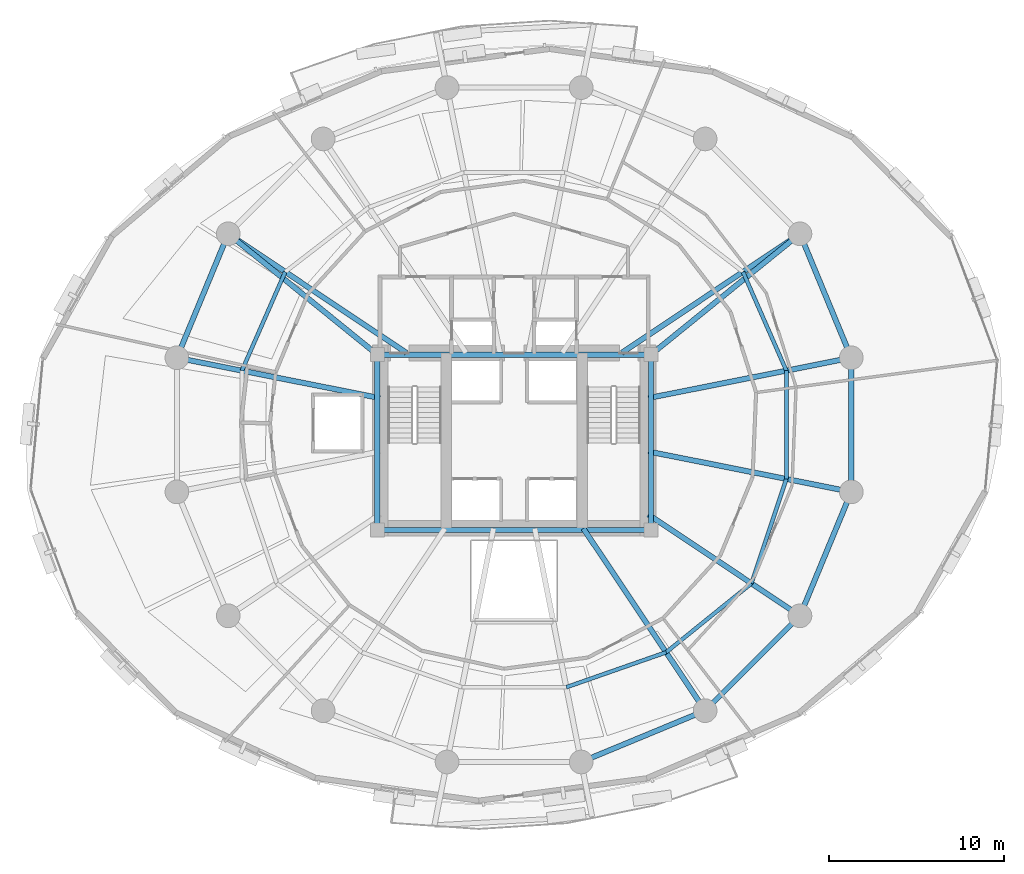
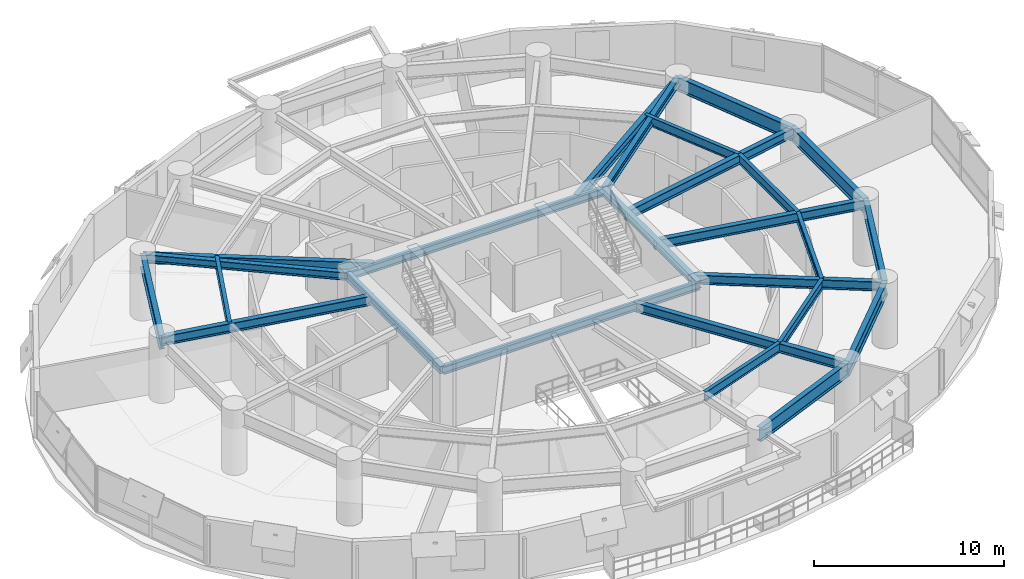
# One storey, part 7 of 17: 25 beams.
"""IFC4 building model written with IfcOpenShell, lengths in metres."""

from ifc_helpers import new_model, si_unit, direction, frame, origin, origin_2d, place, context, subcontext, project, spatial, i_section, extrude, material, material_profile, profile_set, type_object, element, save


model = new_model("IFC4")

# Units and contexts
model_context = context("Model", 3, precision=1e-05, world=origin(), true_north=direction((0.0, 1.0)))
body_context = subcontext(model_context, "Body", "Model", "MODEL_VIEW")
ifc_project = project(units=[si_unit("LENGTHUNIT", "METRE"), si_unit("AREAUNIT", "SQUARE_METRE"), si_unit("VOLUMEUNIT", "CUBIC_METRE"), si_unit("PLANEANGLEUNIT", "RADIAN"), si_unit("MASSUNIT", "GRAM", prefix="KILO"), si_unit("THERMODYNAMICTEMPERATUREUNIT", "KELVIN"), si_unit("POWERUNIT", "WATT")], contexts=[model_context])

# Site, building, storey
site_placement = place(None, origin())
site = spatial("IfcSite", under=ifc_project, at=site_placement, CompositionType="ELEMENT")
building_placement = place(site_placement, origin())
building = spatial("IfcBuilding", under=site, at=building_placement, Name="Ocrelia Relay Tower", CompositionType="ELEMENT")
storey_placement = place(building_placement, frame((0.0, 0.0, 63.60009765625)))
storey = spatial("IfcBuildingStorey", under=building, at=storey_placement, Name="L14", CompositionType="ELEMENT", Elevation=63.60009765625)

# Beams
ifc_material = material(Name="Steel S355", Category="steel")
ifc_material_profile_1 = material_profile(ifc_material, i_section(OverallWidth=0.300048828125, OverallDepth=0.5, WebThickness=0.014404296875, FlangeThickness=0.028076171875, FilletRadius=0.027099609375, at=origin_2d()), Name="HEB 500")
ifc_profile_set_1 = profile_set([ifc_material_profile_1], Name="Steel S355")
beam_type_1 = type_object("IfcBeamType", Name="BM-HEB500", PredefinedType="BEAM", material=ifc_profile_set_1)
for number, where, z_axis, x_axis, name in (
    (1, (26.199951171875, 20.0, 3.669921875), (1.0, 0.0, 0.0), (0.0, 1.0, 0.0), "L14 Core Pilaster Tie Beam S"),
    (2, (26.199951171875, 30.0, 3.669921875), (1.0, 0.0, 0.0), (0.0, 1.0, 0.0), "L14 Core Pilaster Tie Beam N"),
):
    element("IfcBeam", number, at=place(storey_placement, frame(where, z_axis=z_axis, x_axis=x_axis)), inside=storey, type_object=beam_type_1, Name=name, PredefinedType="BEAM", context=body_context, shape_type="SweptSolid", body=[
        extrude(i_section(OverallWidth=0.300048828125, OverallDepth=0.5, WebThickness=0.014404296875, FlangeThickness=0.028076171875, FilletRadius=0.027099609375, at=origin_2d()), origin(), (0.0, 0.0, 1.0), 15.60009765625),
    ])
for number, where, z_axis, x_axis, name in (
    (3, (26.199951171875, 20.0, 3.669921875), (0.0, 1.0, 0.0), (-1.0, 0.0, 0.0), "L14 Core Pilaster Tie Beam W"),
    (4, (41.800048828125, 20.0, 3.669921875), (0.0, 1.0, 0.0), (-1.0, 0.0, 0.0), "L14 Core Pilaster Tie Beam E"),
):
    element("IfcBeam", number, at=place(storey_placement, frame(where, z_axis=z_axis, x_axis=x_axis)), inside=storey, type_object=beam_type_1, Name=name, PredefinedType="BEAM", context=body_context, shape_type="SweptSolid", body=[
        extrude(i_section(OverallWidth=0.300048828125, OverallDepth=0.5, WebThickness=0.014404296875, FlangeThickness=0.028076171875, FilletRadius=0.027099609375, at=origin_2d()), origin(), (0.0, 0.0, 1.0), 10.0),
    ])
for number, where, z_axis, x_axis, name in (
    (5, (50.296875, 36.88916015625, 3.669921875), (-0.776762830896, -0.629793223637, 0.0), (0.629793223637, -0.776762830896, 0.0), "L14 Core Pilaster Frame Tie Beam PT02"),
    (6, (17.703125, 36.88916015625, 3.669921875), (0.776762830896, -0.629793223637, 0.0), (0.629793223637, 0.776762830896, 0.0), "L14 Core Pilaster Frame Tie Beam PT07"),
):
    element("IfcBeam", number, at=place(storey_placement, frame(where, z_axis=z_axis, x_axis=x_axis)), inside=storey, type_object=beam_type_1, Name=name, PredefinedType="BEAM", context=body_context, shape_type="SweptSolid", body=[
        extrude(i_section(OverallWidth=0.300048828125, OverallDepth=0.5, WebThickness=0.014404296875, FlangeThickness=0.028076171875, FilletRadius=0.027099609375, at=origin_2d()), origin(), (0.0, 0.0, 1.0), 10.938720703125),
    ])
ifc_material_profile_2 = material_profile(ifc_material, i_section(OverallWidth=0.300048828125, OverallDepth=0.60009765625, WebThickness=0.015380859375, FlangeThickness=0.030029296875, FilletRadius=0.027099609375, at=origin_2d()), Name="HEB 600")
ifc_profile_set_2 = profile_set([ifc_material_profile_2], Name="Steel S355")
beam_type_2 = type_object("IfcBeamType", Name="BM-HEB600", PredefinedType="BEAM", material=ifc_profile_set_2)
beam_1_placement = place(storey_placement, frame((53.223388671875, 29.82373046875, 3.619873046875), z_axis=(-0.980786324446, -0.195085073187, 0.0), x_axis=(0.195085073187, -0.980786324446, 0.0)))
element("IfcBeam", 7, at=beam_1_placement, inside=storey, type_object=beam_type_2, Name="L14 Radial Floor Girder R01", PredefinedType="BEAM", context=body_context, shape_type="SweptSolid", body=[
    extrude(i_section(OverallWidth=0.300048828125, OverallDepth=0.60009765625, WebThickness=0.015380859375, FlangeThickness=0.030029296875, FilletRadius=0.027099609375, at=origin_2d()), origin(), (0.0, 0.0, 1.0), 11.794921875),
])
for number, where, z_axis, x_axis, name in (
    (8, (50.296875, 36.88916015625, 3.619873046875), (-0.831471581268, -0.555567286243, 0.0), (0.555567286243, -0.831471581268, 0.0), "L14 Radial Floor Girder R02"),
    (9, (17.703125, 36.88916015625, 3.619873046875), (0.831471581268, -0.555567286243, 0.0), (0.555567286243, 0.831471581268, 0.0), "L14 Radial Floor Girder R07"),
):
    element("IfcBeam", number, at=place(storey_placement, frame(where, z_axis=z_axis, x_axis=x_axis)), inside=storey, type_object=beam_type_2, Name=name, PredefinedType="BEAM", context=body_context, shape_type="SweptSolid", body=[
        extrude(i_section(OverallWidth=0.300048828125, OverallDepth=0.60009765625, WebThickness=0.015380859375, FlangeThickness=0.030029296875, FilletRadius=0.027099609375, at=origin_2d()), origin(), (0.0, 0.0, 1.0), 12.211181640625),
    ])
beam_2_placement = place(storey_placement, frame((14.776611328125, 29.82373046875, 3.619873046875), z_axis=(0.980786938484, -0.195081986098, 0.0), x_axis=(0.195081986098, 0.980786938484, 0.0)))
element("IfcBeam", 10, at=beam_2_placement, inside=storey, type_object=beam_type_2, Name="L14 Radial Floor Girder R08", PredefinedType="BEAM", context=body_context, shape_type="SweptSolid", body=[
    extrude(i_section(OverallWidth=0.300048828125, OverallDepth=0.60009765625, WebThickness=0.015380859375, FlangeThickness=0.030029296875, FilletRadius=0.027099609375, at=origin_2d()), origin(), (0.0, 0.0, 1.0), 11.80517578125),
])
beam_3_placement = place(storey_placement, frame((44.88916015625, 9.703125, 3.619873046875), z_axis=(-0.555569912646, 0.831469826369, 0.0), x_axis=(-0.831469826369, -0.555569912646, 0.0)))
element("IfcBeam", 11, at=beam_3_placement, inside=storey, type_object=beam_type_2, Name="L14 Radial Floor Girder R14", PredefinedType="BEAM", context=body_context, shape_type="SweptSolid", body=[
    extrude(i_section(OverallWidth=0.300048828125, OverallDepth=0.60009765625, WebThickness=0.015380859375, FlangeThickness=0.030029296875, FilletRadius=0.027099609375, at=origin_2d()), origin(), (0.0, 0.0, 1.0), 12.498046875),
])
beam_4_placement = place(storey_placement, frame((50.296875, 15.11083984375, 3.619873046875), z_axis=(-0.831475246583, 0.555561800631, 0.0), x_axis=(-0.555561800631, -0.831475246583, 0.0)))
element("IfcBeam", 12, at=beam_4_placement, inside=storey, type_object=beam_type_2, Name="L14 Radial Floor Girder R15", PredefinedType="BEAM", context=body_context, shape_type="SweptSolid", body=[
    extrude(i_section(OverallWidth=0.300048828125, OverallDepth=0.60009765625, WebThickness=0.015380859375, FlangeThickness=0.030029296875, FilletRadius=0.027099609375, at=origin_2d()), origin(), (0.0, 0.0, 1.0), 10.393310546875),
])
beam_5_placement = place(storey_placement, frame((53.223388671875, 22.17626953125, 3.619873046875), z_axis=(-0.980786324446, 0.195085073187, 0.0), x_axis=(-0.195085073187, -0.980786324446, 0.0)))
element("IfcBeam", 13, at=beam_5_placement, inside=storey, type_object=beam_type_2, Name="L14 Radial Floor Girder R16", PredefinedType="BEAM", context=body_context, shape_type="SweptSolid", body=[
    extrude(i_section(OverallWidth=0.300048828125, OverallDepth=0.60009765625, WebThickness=0.015380859375, FlangeThickness=0.030029296875, FilletRadius=0.027099609375, at=origin_2d()), origin(), (0.0, 0.0, 1.0), 11.794921875),
])
ifc_material_profile_3 = material_profile(ifc_material, i_section(OverallWidth=0.300048828125, OverallDepth=0.89990234375, WebThickness=0.0185546875, FlangeThickness=0.034912109375, FilletRadius=0.030029296875, at=origin_2d()), Name="HEB 900")
ifc_profile_set_3 = profile_set([ifc_material_profile_3], Name="Steel S355")
beam_type_3 = type_object("IfcBeamType", Name="BM-HEB900", PredefinedType="BEAM", material=ifc_profile_set_3)
for number, where, z_axis, x_axis, name in (
    (14, (53.223388671875, 29.82373046875, 3.469970703125), (-0.382674154222, 0.923883375589, 0.0), (-0.923883375589, -0.382674154222, 0.0), "L14 Perimeter Spandrel Beam S01"),
    (15, (17.703125, 36.88916015625, 3.469970703125), (-0.382674154222, -0.923883375589, 0.0), (0.923883375589, -0.382674154222, 0.0), "L14 Perimeter Spandrel Beam S07"),
    (16, (37.82373046875, 6.776611328125, 3.469970703125), (0.923883375589, 0.382674154222, 0.0), (-0.382674154222, 0.923883375589, 0.0), "L14 Perimeter Spandrel Beam S13"),
):
    element("IfcBeam", number, at=place(storey_placement, frame(where, z_axis=z_axis, x_axis=x_axis)), inside=storey, type_object=beam_type_3, Name=name, PredefinedType="BEAM", context=body_context, shape_type="SweptSolid", body=[
        extrude(i_section(OverallWidth=0.300048828125, OverallDepth=0.89990234375, WebThickness=0.0185546875, FlangeThickness=0.034912109375, FilletRadius=0.030029296875, at=origin_2d()), origin(), (0.0, 0.0, 1.0), 7.6474609375),
    ])
beam_6_placement = place(storey_placement, frame((44.88916015625, 9.703125, 3.469970703125), z_axis=(0.707106781187, 0.707106781187, 0.0), x_axis=(-0.707106781187, 0.707106781187, 0.0)))
element("IfcBeam", 17, at=beam_6_placement, inside=storey, type_object=beam_type_3, Name="L14 Perimeter Spandrel Beam S14", PredefinedType="BEAM", context=body_context, shape_type="SweptSolid", body=[
    extrude(i_section(OverallWidth=0.300048828125, OverallDepth=0.89990234375, WebThickness=0.0185546875, FlangeThickness=0.034912109375, FilletRadius=0.030029296875, at=origin_2d()), origin(), (0.0, 0.0, 1.0), 7.647705078125),
])
for number, where, z_axis, x_axis, name in (
    (18, (50.296875, 15.11083984375, 3.469970703125), (0.382674154222, 0.923883375589, 0.0), (-0.923883375589, 0.382674154222, 0.0), "L14 Perimeter Spandrel Beam S15"),
    (19, (53.223388671875, 22.17626953125, 3.469970703125), (0.0, 1.0, 0.0), (-1.0, 0.0, 0.0), "L14 Perimeter Spandrel Beam S16"),
):
    element("IfcBeam", number, at=place(storey_placement, frame(where, z_axis=z_axis, x_axis=x_axis)), inside=storey, type_object=beam_type_3, Name=name, PredefinedType="BEAM", context=body_context, shape_type="SweptSolid", body=[
        extrude(i_section(OverallWidth=0.300048828125, OverallDepth=0.89990234375, WebThickness=0.0185546875, FlangeThickness=0.034912109375, FilletRadius=0.030029296875, at=origin_2d()), origin(), (0.0, 0.0, 1.0), 7.6474609375),
    ])
ifc_material_profile_4 = material_profile(ifc_material, i_section(OverallWidth=0.219970703125, OverallDepth=0.60009765625, WebThickness=0.011962890625, FlangeThickness=0.01904296875, FilletRadius=0.02392578125, at=origin_2d()), Name="IPE 600")
ifc_profile_set_4 = profile_set([ifc_material_profile_4], Name="Steel S355")
beam_type_4 = type_object("IfcBeamType", Name="BM-IPE600", PredefinedType="JOIST", material=ifc_profile_set_4)
beam_7_placement = place(storey_placement, frame((49.521484375, 29.08740234375, 3.619873046875), z_axis=(-0.402201104053, 0.915551348586, 0.0), x_axis=(-0.915551348586, -0.402201104053, 0.0)))
element("IfcBeam", 20, at=beam_7_placement, inside=storey, type_object=beam_type_4, Name="L14 Secondary Floor Joist J01", PredefinedType="JOIST", context=body_context, shape_type="SweptSolid", body=[
    extrude(i_section(OverallWidth=0.219970703125, OverallDepth=0.60009765625, WebThickness=0.011962890625, FlangeThickness=0.01904296875, FilletRadius=0.02392578125, at=origin_2d()), origin(), (0.0, 0.0, 1.0), 6.150146484375),
])
beam_8_placement = place(storey_placement, frame((20.9521484375, 34.71826171875, 3.619873046875), z_axis=(-0.401739185135, -0.915754130281, 0.0), x_axis=(0.915754130281, -0.401739185135, 0.0)))
element("IfcBeam", 21, at=beam_8_placement, inside=storey, type_object=beam_type_4, Name="L14 Secondary Floor Joist J07", PredefinedType="JOIST", context=body_context, shape_type="SweptSolid", body=[
    extrude(i_section(OverallWidth=0.219970703125, OverallDepth=0.60009765625, WebThickness=0.011962890625, FlangeThickness=0.01904296875, FilletRadius=0.02392578125, at=origin_2d()), origin(), (0.0, 0.0, 1.0), 6.1494140625),
])
beam_9_placement = place(storey_placement, frame((36.97607421875, 11.03857421875, 3.619873046875), z_axis=(0.943957429675, 0.330067221882, 0.0), x_axis=(-0.330067221882, 0.943957429675, 0.0)))
element("IfcBeam", 22, at=beam_9_placement, inside=storey, type_object=beam_type_4, Name="L14 Secondary Floor Joist J13", PredefinedType="JOIST", context=body_context, shape_type="SweptSolid", body=[
    extrude(i_section(OverallWidth=0.219970703125, OverallDepth=0.60009765625, WebThickness=0.011962890625, FlangeThickness=0.01904296875, FilletRadius=0.02392578125, at=origin_2d()), origin(), (0.0, 0.0, 1.0), 6.029052734375),
])
beam_10_placement = place(storey_placement, frame((42.667236328125, 13.028564453125, 3.619873046875), z_axis=(0.777854562422, 0.628444333031, 0.0), x_axis=(-0.628444333031, 0.777854562422, 0.0)))
element("IfcBeam", 23, at=beam_10_placement, inside=storey, type_object=beam_type_4, Name="L14 Secondary Floor Joist J14", PredefinedType="JOIST", context=body_context, shape_type="SweptSolid", body=[
    extrude(i_section(OverallWidth=0.219970703125, OverallDepth=0.60009765625, WebThickness=0.011962890625, FlangeThickness=0.01904296875, FilletRadius=0.02392578125, at=origin_2d()), origin(), (0.0, 0.0, 1.0), 6.25341796875),
])
beam_11_placement = place(storey_placement, frame((47.531494140625, 16.95849609375, 3.619873046875), z_axis=(0.31698600471, 0.948430215049, 0.0), x_axis=(-0.948430215049, 0.31698600471, 0.0)))
element("IfcBeam", 24, at=beam_11_placement, inside=storey, type_object=beam_type_4, Name="L14 Secondary Floor Joist J15", PredefinedType="JOIST", context=body_context, shape_type="SweptSolid", body=[
    extrude(i_section(OverallWidth=0.219970703125, OverallDepth=0.60009765625, WebThickness=0.011962890625, FlangeThickness=0.01904296875, FilletRadius=0.02392578125, at=origin_2d()), origin(), (0.0, 0.0, 1.0), 6.27783203125),
])
beam_12_placement = place(storey_placement, frame((49.521484375, 22.91259765625, 3.619873046875), z_axis=(0.0, 1.0, 0.0), x_axis=(-1.0, 0.0, 0.0)))
element("IfcBeam", 25, at=beam_12_placement, inside=storey, type_object=beam_type_4, Name="L14 Secondary Floor Joist J16", PredefinedType="JOIST", context=body_context, shape_type="SweptSolid", body=[
    extrude(i_section(OverallWidth=0.219970703125, OverallDepth=0.60009765625, WebThickness=0.011962890625, FlangeThickness=0.01904296875, FilletRadius=0.02392578125, at=origin_2d()), origin(), (0.0, 0.0, 1.0), 6.1748046875),
])

save(model, "model.ifc")
